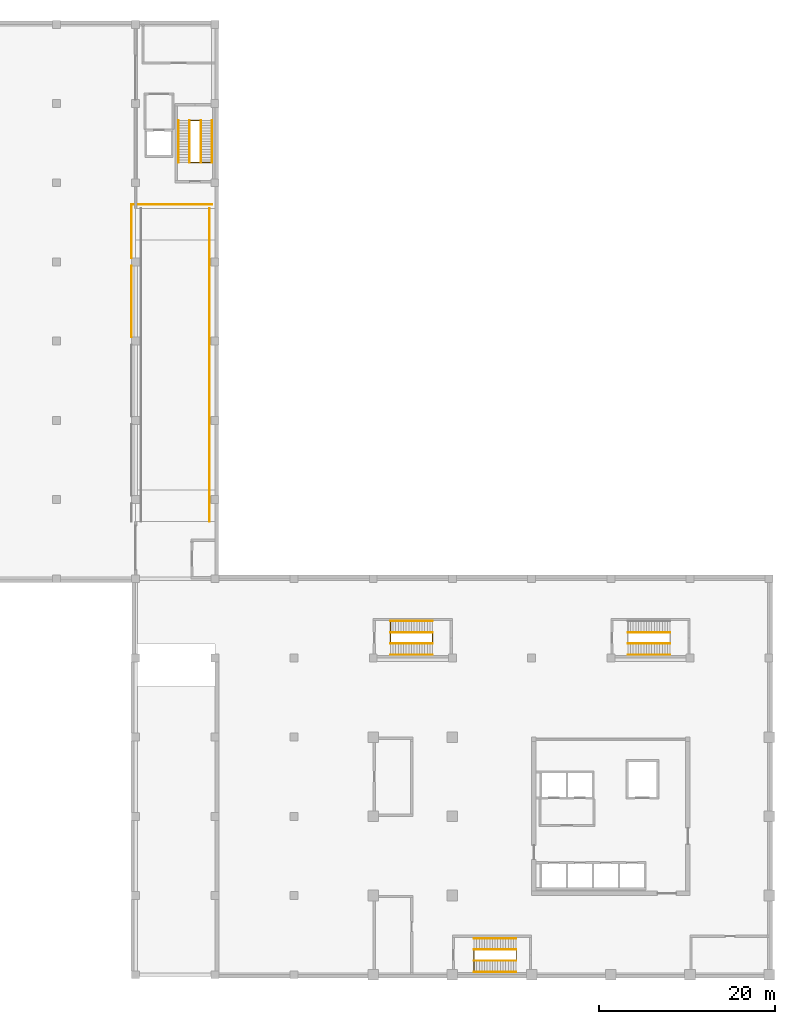
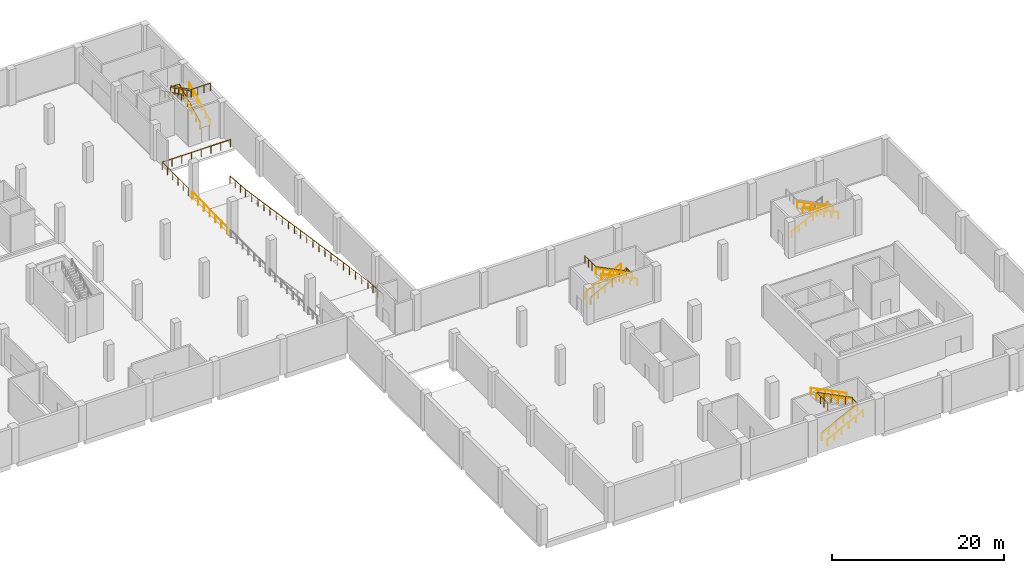
# One storey, part 15 of 16: 21 railings.
"""IFC4 building model written with IfcOpenShell, lengths in metres."""

from ifc_helpers import new_model, si_unit, direction, frame, origin, origin_2d, place, context, subcontext, project, spatial, circle, extrude, material, type_object, element, save


model = new_model("IFC4")

# Units and contexts
model_context = context("Model", 3, precision=1e-05, world=origin(), true_north=direction((0.0, 1.0)))
body_context = subcontext(model_context, "Body", "Model", "MODEL_VIEW")
ifc_project = project(units=[si_unit("LENGTHUNIT", "METRE"), si_unit("AREAUNIT", "SQUARE_METRE"), si_unit("VOLUMEUNIT", "CUBIC_METRE"), si_unit("PLANEANGLEUNIT", "RADIAN"), si_unit("MASSUNIT", "GRAM", prefix="KILO")], contexts=[model_context])

# Site, building, storey
site_placement = place(None, origin())
site = spatial("IfcSite", under=ifc_project, at=site_placement, CompositionType="ELEMENT")
building_placement = place(site_placement, origin())
building = spatial("IfcBuilding", under=site, at=building_placement, Name="Guidao Yard Department Store", CompositionType="ELEMENT")
storey_placement = place(building_placement, frame((0.0, 0.0, -5.10009765625)))
storey = spatial("IfcBuildingStorey", under=building, at=storey_placement, Name="B1", CompositionType="ELEMENT", Elevation=-5.10009765625)

# Railings
ifc_material_1 = material(Name="Steel Q235", Category="steel")
railing_type_1 = type_object("IfcRailingType", Name="Guard steel balustrade 1100", PredefinedType="GUARDRAIL", material=ifc_material_1)
railing_1_placement = place(storey_placement, frame((106.35009765625, 92.300048828125, 0.150146484375)))
element("IfcRailing", 1, at=railing_1_placement, inside=storey, type_object=railing_type_1, Name="Basement stair G2 guard B1 2", PredefinedType="GUARDRAIL", context=body_context, shape_type="SweptSolid", body=[
    extrude(circle(Radius=0.02392578125, at=origin_2d()), frame((0.0, 0.0, 1.076171875), z_axis=(0.0, 0.894436289399, 0.44719539824), x_axis=(-1.0, 0.0, 0.0)), (0.0, 0.0, 1.0), 5.366455078125),
    extrude(circle(Radius=0.02392578125, at=origin_2d()), frame((0.0, 4.800048828125, 3.47607421875), z_axis=(-1.0, 0.0, 0.0), x_axis=(0.0, -1.0, 0.0)), (0.0, 0.0, 1.0), 1.150146484375),
    extrude(circle(Radius=0.02392578125, at=origin_2d()), frame((-1.150146484375, 4.800048828125, 3.47607421875), z_axis=(0.0, 0.0, 1.0), x_axis=(1.0, 0.0, 0.0)), (0.0, 0.0, 1.0), 0.150146484375),
    extrude(circle(Radius=0.02392578125, at=origin_2d()), frame((-1.150146484375, 4.800048828125, 3.6259765625), z_axis=(0.0, -0.894436289399, 0.44719539824), x_axis=(1.0, 0.0, 0.0)), (0.0, 0.0, 1.0), 5.366455078125),
    extrude(circle(Radius=0.02392578125, at=origin_2d()), frame((-1.150146484375, 0.0, 6.02587890625), z_axis=(1.0, 0.0, 0.0), x_axis=(0.0, 1.0, 0.0)), (0.0, 0.0, 1.0), 2.550048828125),
    extrude(circle(Radius=0.02099609375, at=origin_2d()), origin(), (0.0, 0.0, 1.0), 1.052001953125),
    extrude(circle(Radius=0.02099609375, at=origin_2d()), frame((0.0, 0.9599609375, 0.47998046875)), (0.0, 0.0, 1.0), 1.052001953125),
    extrude(circle(Radius=0.02099609375, at=origin_2d()), frame((0.0, 1.919921875, 0.9599609375)), (0.0, 0.0, 1.0), 1.052001953125),
    extrude(circle(Radius=0.02099609375, at=origin_2d()), frame((0.0, 2.880126953125, 1.43994140625)), (0.0, 0.0, 1.0), 1.052001953125),
    extrude(circle(Radius=0.02099609375, at=origin_2d()), frame((0.0, 3.840087890625, 1.919921875)), (0.0, 0.0, 1.0), 1.052001953125),
    extrude(circle(Radius=0.02099609375, at=origin_2d()), frame((0.0, 4.800048828125, 2.39990234375)), (0.0, 0.0, 1.0), 1.052001953125),
    extrude(circle(Radius=0.02099609375, at=origin_2d()), frame((-1.150146484375, 4.800048828125, 2.39990234375)), (0.0, 0.0, 1.0), 1.052001953125),
    extrude(circle(Radius=0.02099609375, at=origin_2d()), frame((-1.150146484375, 4.800048828125, 2.550048828125)), (0.0, 0.0, 1.0), 1.052001953125),
    extrude(circle(Radius=0.02099609375, at=origin_2d()), frame((-1.150146484375, 3.840087890625, 3.030029296875)), (0.0, 0.0, 1.0), 1.052001953125),
    extrude(circle(Radius=0.02099609375, at=origin_2d()), frame((-1.150146484375, 2.880126953125, 3.510009765625)), (0.0, 0.0, 1.0), 1.052001953125),
    extrude(circle(Radius=0.02099609375, at=origin_2d()), frame((-1.150146484375, 1.919921875, 3.989990234375)), (0.0, 0.0, 1.0), 1.052001953125),
    extrude(circle(Radius=0.02099609375, at=origin_2d()), frame((-1.150146484375, 0.9599609375, 4.469970703125)), (0.0, 0.0, 1.0), 1.052001953125),
    extrude(circle(Radius=0.02099609375, at=origin_2d()), frame((-1.150146484375, 0.0, 4.949951171875)), (0.0, 0.0, 1.0), 1.052001953125),
    extrude(circle(Radius=0.02099609375, at=origin_2d()), frame((-0.300048828125, 0.0, 4.949951171875)), (0.0, 0.0, 1.0), 1.052001953125),
    extrude(circle(Radius=0.02099609375, at=origin_2d()), frame((0.5498046875, 0.0, 4.949951171875)), (0.0, 0.0, 1.0), 1.052001953125),
    extrude(circle(Radius=0.02099609375, at=origin_2d()), frame((1.39990234375, 0.0, 4.949951171875)), (0.0, 0.0, 1.0), 1.052001953125),
])
railing_2_placement = place(storey_placement, frame((137.449951171875, 1.64990234375, 0.150146484375)))
element("IfcRailing", 2, at=railing_2_placement, inside=storey, type_object=railing_type_1, Name="Basement stair O1 guard B1 6", PredefinedType="GUARDRAIL", context=body_context, shape_type="SweptSolid", body=[
    extrude(circle(Radius=0.02392578125, at=origin_2d()), frame((0.0, 0.0, 1.076171875), z_axis=(0.894436289399, 0.0, 0.44719539824), x_axis=(0.0, 1.0, 0.0)), (0.0, 0.0, 1.0), 5.366455078125),
    extrude(circle(Radius=0.02392578125, at=origin_2d()), frame((4.800048828125, 0.0, 3.47607421875), z_axis=(0.0, 1.0, 0.0), x_axis=(-1.0, 0.0, 0.0)), (0.0, 0.0, 1.0), 1.150146484375),
    extrude(circle(Radius=0.02392578125, at=origin_2d()), frame((4.800048828125, 1.150146484375, 3.47607421875), z_axis=(0.0, 0.0, 1.0), x_axis=(1.0, 0.0, 0.0)), (0.0, 0.0, 1.0), 0.150146484375),
    extrude(circle(Radius=0.02392578125, at=origin_2d()), frame((4.800048828125, 1.150146484375, 3.6259765625), z_axis=(-0.894436289399, 0.0, 0.44719539824), x_axis=(0.0, -1.0, 0.0)), (0.0, 0.0, 1.0), 5.366455078125),
    extrude(circle(Radius=0.02392578125, at=origin_2d()), frame((0.0, 1.150146484375, 6.02587890625), z_axis=(0.0, -1.0, 0.0), x_axis=(1.0, 0.0, 0.0)), (0.0, 0.0, 1.0), 2.550048828125),
    extrude(circle(Radius=0.02099609375, at=origin_2d()), origin(), (0.0, 0.0, 1.0), 1.052001953125),
    extrude(circle(Radius=0.02099609375, at=origin_2d()), frame((0.9599609375, 0.0, 0.47998046875)), (0.0, 0.0, 1.0), 1.052001953125),
    extrude(circle(Radius=0.02099609375, at=origin_2d()), frame((1.919921875, 0.0, 0.9599609375)), (0.0, 0.0, 1.0), 1.052001953125),
    extrude(circle(Radius=0.02099609375, at=origin_2d()), frame((2.880126953125, 0.0, 1.43994140625)), (0.0, 0.0, 1.0), 1.052001953125),
    extrude(circle(Radius=0.02099609375, at=origin_2d()), frame((3.840087890625, 0.0, 1.919921875)), (0.0, 0.0, 1.0), 1.052001953125),
    extrude(circle(Radius=0.02099609375, at=origin_2d()), frame((4.800048828125, 0.0, 2.39990234375)), (0.0, 0.0, 1.0), 1.052001953125),
    extrude(circle(Radius=0.02099609375, at=origin_2d()), frame((4.800048828125, 1.150146484375, 2.39990234375)), (0.0, 0.0, 1.0), 1.052001953125),
    extrude(circle(Radius=0.02099609375, at=origin_2d()), frame((4.800048828125, 1.150146484375, 2.550048828125)), (0.0, 0.0, 1.0), 1.052001953125),
    extrude(circle(Radius=0.02099609375, at=origin_2d()), frame((3.840087890625, 1.150146484375, 3.030029296875)), (0.0, 0.0, 1.0), 1.052001953125),
    extrude(circle(Radius=0.02099609375, at=origin_2d()), frame((2.880126953125, 1.150146484375, 3.510009765625)), (0.0, 0.0, 1.0), 1.052001953125),
    extrude(circle(Radius=0.02099609375, at=origin_2d()), frame((1.919921875, 1.150146484375, 3.989990234375)), (0.0, 0.0, 1.0), 1.052001953125),
    extrude(circle(Radius=0.02099609375, at=origin_2d()), frame((0.9599609375, 1.150146484375, 4.469970703125)), (0.0, 0.0, 1.0), 1.052001953125),
    extrude(circle(Radius=0.02099609375, at=origin_2d()), frame((0.0, 1.150146484375, 4.949951171875)), (0.0, 0.0, 1.0), 1.052001953125),
    extrude(circle(Radius=0.02099609375, at=origin_2d()), frame((0.0, 0.300048828125, 4.949951171875)), (0.0, 0.0, 1.0), 1.052001953125),
    extrude(circle(Radius=0.02099609375, at=origin_2d()), frame((0.0, -0.5498046875, 4.949951171875)), (0.0, 0.0, 1.0), 1.052001953125),
    extrude(circle(Radius=0.02099609375, at=origin_2d()), frame((0.0, -1.39990234375, 4.949951171875)), (0.0, 0.0, 1.0), 1.052001953125),
])
railing_3_placement = place(storey_placement, frame((127.949951171875, 38.85009765625, 0.150146484375)))
element("IfcRailing", 3, at=railing_3_placement, inside=storey, type_object=railing_type_1, Name="Basement stair Y1 guard B1 7", PredefinedType="GUARDRAIL", context=body_context, shape_type="SweptSolid", body=[
    extrude(circle(Radius=0.02392578125, at=origin_2d()), frame((0.0, 0.0, 1.076171875), z_axis=(0.894436289399, 0.0, 0.44719539824), x_axis=(0.0, 1.0, 0.0)), (0.0, 0.0, 1.0), 5.366455078125),
    extrude(circle(Radius=0.02392578125, at=origin_2d()), frame((4.800048828125, 0.0, 3.47607421875), z_axis=(0.0, -1.0, 0.0), x_axis=(1.0, 0.0, 0.0)), (0.0, 0.0, 1.0), 1.150146484375),
    extrude(circle(Radius=0.02392578125, at=origin_2d()), frame((4.800048828125, -1.150146484375, 3.47607421875), z_axis=(0.0, 0.0, 1.0), x_axis=(1.0, 0.0, 0.0)), (0.0, 0.0, 1.0), 0.150146484375),
    extrude(circle(Radius=0.02392578125, at=origin_2d()), frame((4.800048828125, -1.150146484375, 3.6259765625), z_axis=(-0.894436289399, 0.0, 0.44719539824), x_axis=(0.0, -1.0, 0.0)), (0.0, 0.0, 1.0), 5.366455078125),
    extrude(circle(Radius=0.02392578125, at=origin_2d()), frame((0.0, -1.150146484375, 6.02587890625), z_axis=(0.0, 1.0, 0.0), x_axis=(-1.0, 0.0, 0.0)), (0.0, 0.0, 1.0), 2.550048828125),
    extrude(circle(Radius=0.02099609375, at=origin_2d()), origin(), (0.0, 0.0, 1.0), 1.052001953125),
    extrude(circle(Radius=0.02099609375, at=origin_2d()), frame((0.9599609375, 0.0, 0.47998046875)), (0.0, 0.0, 1.0), 1.052001953125),
    extrude(circle(Radius=0.02099609375, at=origin_2d()), frame((1.919921875, 0.0, 0.9599609375)), (0.0, 0.0, 1.0), 1.052001953125),
    extrude(circle(Radius=0.02099609375, at=origin_2d()), frame((2.880126953125, 0.0, 1.43994140625)), (0.0, 0.0, 1.0), 1.052001953125),
    extrude(circle(Radius=0.02099609375, at=origin_2d()), frame((3.840087890625, 0.0, 1.919921875)), (0.0, 0.0, 1.0), 1.052001953125),
    extrude(circle(Radius=0.02099609375, at=origin_2d()), frame((4.800048828125, 0.0, 2.39990234375)), (0.0, 0.0, 1.0), 1.052001953125),
    extrude(circle(Radius=0.02099609375, at=origin_2d()), frame((4.800048828125, -1.150146484375, 2.39990234375)), (0.0, 0.0, 1.0), 1.052001953125),
    extrude(circle(Radius=0.02099609375, at=origin_2d()), frame((4.800048828125, -1.150146484375, 2.550048828125)), (0.0, 0.0, 1.0), 1.052001953125),
    extrude(circle(Radius=0.02099609375, at=origin_2d()), frame((3.840087890625, -1.150146484375, 3.030029296875)), (0.0, 0.0, 1.0), 1.052001953125),
    extrude(circle(Radius=0.02099609375, at=origin_2d()), frame((2.880126953125, -1.150146484375, 3.510009765625)), (0.0, 0.0, 1.0), 1.052001953125),
    extrude(circle(Radius=0.02099609375, at=origin_2d()), frame((1.919921875, -1.150146484375, 3.989990234375)), (0.0, 0.0, 1.0), 1.052001953125),
    extrude(circle(Radius=0.02099609375, at=origin_2d()), frame((0.9599609375, -1.150146484375, 4.469970703125)), (0.0, 0.0, 1.0), 1.052001953125),
    extrude(circle(Radius=0.02099609375, at=origin_2d()), frame((0.0, -1.150146484375, 4.949951171875)), (0.0, 0.0, 1.0), 1.052001953125),
    extrude(circle(Radius=0.02099609375, at=origin_2d()), frame((0.0, -0.300048828125, 4.949951171875)), (0.0, 0.0, 1.0), 1.052001953125),
    extrude(circle(Radius=0.02099609375, at=origin_2d()), frame((0.0, 0.5498046875, 4.949951171875)), (0.0, 0.0, 1.0), 1.052001953125),
    extrude(circle(Radius=0.02099609375, at=origin_2d()), frame((0.0, 1.39990234375, 4.949951171875)), (0.0, 0.0, 1.0), 1.052001953125),
])
railing_4_placement = place(storey_placement, frame((107.39990234375, 51.5, 0.0)))
element("IfcRailing", 4, at=railing_4_placement, inside=storey, type_object=railing_type_1, Name="Car ramp B guard E", PredefinedType="GUARDRAIL", context=body_context, shape_type="SweptSolid", body=[
    extrude(circle(Radius=0.02392578125, at=origin_2d()), frame((0.0, 0.0, 1.076171875), z_axis=(0.0, 0.997199057707, -0.074793310581), x_axis=(-1.0, 0.0, 0.0)), (0.0, 0.0, 1.0), 3.610107421875),
    extrude(circle(Radius=0.02392578125, at=origin_2d()), frame((0.0, 3.60009765625, 0.80615234375), z_axis=(0.0, 0.988937475278, -0.148332970004), x_axis=(-1.0, 0.0, 0.0)), (0.0, 0.0, 1.0), 28.717529296875),
    extrude(circle(Radius=0.02392578125, at=origin_2d()), frame((0.0, 32.0, -3.45361328125), z_axis=(0.0, 0.997199057707, -0.074793310581), x_axis=(-1.0, 0.0, 0.0)), (0.0, 0.0, 1.0), 3.610107421875),
    extrude(circle(Radius=0.02099609375, at=origin_2d()), origin(), (0.0, 0.0, 1.0), 1.052001953125),
    extrude(circle(Radius=0.02099609375, at=origin_2d()), frame((0.0, 1.199951171875, -0.090087890625)), (0.0, 0.0, 1.0), 1.052001953125),
    extrude(circle(Radius=0.02099609375, at=origin_2d()), frame((0.0, 2.400146484375, -0.179931640625)), (0.0, 0.0, 1.0), 1.052001953125),
    extrude(circle(Radius=0.02099609375, at=origin_2d()), frame((0.0, 3.60009765625, -0.27001953125)), (0.0, 0.0, 1.0), 1.052001953125),
    extrude(circle(Radius=0.02099609375, at=origin_2d()), frame((0.0, 5.02001953125, -0.48291015625)), (0.0, 0.0, 1.0), 1.052001953125),
    extrude(circle(Radius=0.02099609375, at=origin_2d()), frame((0.0, 6.440185546875, -0.696044921875)), (0.0, 0.0, 1.0), 1.052001953125),
    extrude(circle(Radius=0.02099609375, at=origin_2d()), frame((0.0, 7.860107421875, -0.908935546875)), (0.0, 0.0, 1.0), 1.052001953125),
    extrude(circle(Radius=0.02099609375, at=origin_2d()), frame((0.0, 9.280029296875, -1.1220703125)), (0.0, 0.0, 1.0), 1.052001953125),
    extrude(circle(Radius=0.02099609375, at=origin_2d()), frame((0.0, 10.7001953125, -1.3349609375)), (0.0, 0.0, 1.0), 1.052001953125),
    extrude(circle(Radius=0.02099609375, at=origin_2d()), frame((0.0, 12.1201171875, -1.5478515625)), (0.0, 0.0, 1.0), 1.052001953125),
    extrude(circle(Radius=0.02099609375, at=origin_2d()), frame((0.0, 13.5400390625, -1.760986328125)), (0.0, 0.0, 1.0), 1.052001953125),
    extrude(circle(Radius=0.02099609375, at=origin_2d()), frame((0.0, 14.9599609375, -1.973876953125)), (0.0, 0.0, 1.0), 1.052001953125),
    extrude(circle(Radius=0.02099609375, at=origin_2d()), frame((0.0, 16.380126953125, -2.18701171875)), (0.0, 0.0, 1.0), 1.052001953125),
    extrude(circle(Radius=0.02099609375, at=origin_2d()), frame((0.0, 17.800048828125, -2.39990234375)), (0.0, 0.0, 1.0), 1.052001953125),
    extrude(circle(Radius=0.02099609375, at=origin_2d()), frame((0.0, 19.219970703125, -2.61279296875)), (0.0, 0.0, 1.0), 1.052001953125),
    extrude(circle(Radius=0.02099609375, at=origin_2d()), frame((0.0, 20.64013671875, -2.825927734375)), (0.0, 0.0, 1.0), 1.052001953125),
    extrude(circle(Radius=0.02099609375, at=origin_2d()), frame((0.0, 22.06005859375, -3.038818359375)), (0.0, 0.0, 1.0), 1.052001953125),
    extrude(circle(Radius=0.02099609375, at=origin_2d()), frame((0.0, 23.47998046875, -3.251953125)), (0.0, 0.0, 1.0), 1.052001953125),
    extrude(circle(Radius=0.02099609375, at=origin_2d()), frame((0.0, 24.89990234375, -3.46484375)), (0.0, 0.0, 1.0), 1.052001953125),
    extrude(circle(Radius=0.02099609375, at=origin_2d()), frame((0.0, 26.320068359375, -3.677734375)), (0.0, 0.0, 1.0), 1.052001953125),
    extrude(circle(Radius=0.02099609375, at=origin_2d()), frame((0.0, 27.739990234375, -3.890869140625)), (0.0, 0.0, 1.0), 1.052001953125),
    extrude(circle(Radius=0.02099609375, at=origin_2d()), frame((0.0, 29.159912109375, -4.103759765625)), (0.0, 0.0, 1.0), 1.052001953125),
    extrude(circle(Radius=0.02099609375, at=origin_2d()), frame((0.0, 30.580078125, -4.31689453125)), (0.0, 0.0, 1.0), 1.052001953125),
    extrude(circle(Radius=0.02099609375, at=origin_2d()), frame((0.0, 32.0, -4.52978515625)), (0.0, 0.0, 1.0), 1.052001953125),
    extrude(circle(Radius=0.02099609375, at=origin_2d()), frame((0.0, 33.199951171875, -4.619873046875)), (0.0, 0.0, 1.0), 1.052001953125),
    extrude(circle(Radius=0.02099609375, at=origin_2d()), frame((0.0, 34.400146484375, -4.709716796875)), (0.0, 0.0, 1.0), 1.052001953125),
    extrude(circle(Radius=0.02099609375, at=origin_2d()), frame((0.0, 35.60009765625, -4.7998046875)), (0.0, 0.0, 1.0), 1.052001953125),
])
railing_5_placement = place(storey_placement, frame((98.550048828125, 72.449951171875, 0.0)))
element("IfcRailing", 5, at=railing_5_placement, inside=storey, type_object=railing_type_1, Name="Guard ramp B W B1", PredefinedType="GUARDRAIL", context=body_context, shape_type="SweptSolid", body=[
    extrude(circle(Radius=0.02392578125, at=origin_2d()), frame((0.0, 0.0, 1.076171875), z_axis=(0.0, 1.0, 0.0), x_axis=(-1.0, 0.0, 0.0)), (0.0, 0.0, 1.0), 8.10009765625),
    extrude(circle(Radius=0.02099609375, at=origin_2d()), origin(), (0.0, 0.0, 1.0), 1.052001953125),
    extrude(circle(Radius=0.02099609375, at=origin_2d()), frame((0.0, 1.35009765625, 0.0)), (0.0, 0.0, 1.0), 1.052001953125),
    extrude(circle(Radius=0.02099609375, at=origin_2d()), frame((0.0, 2.699951171875, 0.0)), (0.0, 0.0, 1.0), 1.052001953125),
    extrude(circle(Radius=0.02099609375, at=origin_2d()), frame((0.0, 4.050048828125, 0.0)), (0.0, 0.0, 1.0), 1.052001953125),
    extrude(circle(Radius=0.02099609375, at=origin_2d()), frame((0.0, 5.400146484375, 0.0)), (0.0, 0.0, 1.0), 1.052001953125),
    extrude(circle(Radius=0.02099609375, at=origin_2d()), frame((0.0, 6.75, 0.0)), (0.0, 0.0, 1.0), 1.052001953125),
    extrude(circle(Radius=0.02099609375, at=origin_2d()), frame((0.0, 8.10009765625, 0.0)), (0.0, 0.0, 1.0), 1.052001953125),
])
railing_6_placement = place(storey_placement, frame((98.550048828125, 81.449951171875, 0.0)))
element("IfcRailing", 6, at=railing_6_placement, inside=storey, type_object=railing_type_1, Name="Guard ramp B W B1", PredefinedType="GUARDRAIL", context=body_context, shape_type="SweptSolid", body=[
    extrude(circle(Radius=0.02392578125, at=origin_2d()), frame((0.0, 0.0, 1.076171875), z_axis=(0.0, 1.0, 0.0), x_axis=(-1.0, 0.0, 0.0)), (0.0, 0.0, 1.0), 6.10009765625),
    extrude(circle(Radius=0.02392578125, at=origin_2d()), frame((0.0, 6.10009765625, 1.076171875), z_axis=(1.0, 0.0, 0.0), x_axis=(0.0, 1.0, 0.0)), (0.0, 0.0, 1.0), 9.14990234375),
    extrude(circle(Radius=0.02099609375, at=origin_2d()), origin(), (0.0, 0.0, 1.0), 1.052001953125),
    extrude(circle(Radius=0.02099609375, at=origin_2d()), frame((0.0, 1.219970703125, 0.0)), (0.0, 0.0, 1.0), 1.052001953125),
    extrude(circle(Radius=0.02099609375, at=origin_2d()), frame((0.0, 2.43994140625, 0.0)), (0.0, 0.0, 1.0), 1.052001953125),
    extrude(circle(Radius=0.02099609375, at=origin_2d()), frame((0.0, 3.66015625, 0.0)), (0.0, 0.0, 1.0), 1.052001953125),
    extrude(circle(Radius=0.02099609375, at=origin_2d()), frame((0.0, 4.880126953125, 0.0)), (0.0, 0.0, 1.0), 1.052001953125),
    extrude(circle(Radius=0.02099609375, at=origin_2d()), frame((0.0, 6.10009765625, 0.0)), (0.0, 0.0, 1.0), 1.052001953125),
    extrude(circle(Radius=0.02099609375, at=origin_2d()), frame((1.30712890625, 6.10009765625, 0.0)), (0.0, 0.0, 1.0), 1.052001953125),
    extrude(circle(Radius=0.02099609375, at=origin_2d()), frame((2.6142578125, 6.10009765625, 0.0)), (0.0, 0.0, 1.0), 1.052001953125),
    extrude(circle(Radius=0.02099609375, at=origin_2d()), frame((3.92138671875, 6.10009765625, 0.0)), (0.0, 0.0, 1.0), 1.052001953125),
    extrude(circle(Radius=0.02099609375, at=origin_2d()), frame((5.228515625, 6.10009765625, 0.0)), (0.0, 0.0, 1.0), 1.052001953125),
    extrude(circle(Radius=0.02099609375, at=origin_2d()), frame((6.53564453125, 6.10009765625, 0.0)), (0.0, 0.0, 1.0), 1.052001953125),
    extrude(circle(Radius=0.02099609375, at=origin_2d()), frame((7.8427734375, 6.10009765625, 0.0)), (0.0, 0.0, 1.0), 1.052001953125),
    extrude(circle(Radius=0.02099609375, at=origin_2d()), frame((9.14990234375, 6.10009765625, 0.0)), (0.0, 0.0, 1.0), 1.052001953125),
])
ifc_material_2 = material(Name="Steel Q235", Category="steel")
railing_type_2 = type_object("IfcRailingType", Name="Handrail steel tube 48", PredefinedType="HANDRAIL", material=ifc_material_2)
for number, where, name in (
    (7, (107.68994140625, 92.300048828125, 0.150146484375), "Basement stair G2 hand rail B1 5"),
    (8, (106.409912109375, 92.300048828125, 0.150146484375), "Basement stair G2 hand rail B1 6"),
):
    element("IfcRailing", number, at=place(storey_placement, frame(where)), inside=storey, type_object=railing_type_2, Name=name, PredefinedType="HANDRAIL", context=body_context, shape_type="SweptSolid", body=[
        extrude(circle(Radius=0.02392578125, at=origin_2d()), frame((0.0, 0.0, 0.8759765625), z_axis=(0.0, 0.894436289399, 0.44719539824), x_axis=(-1.0, 0.0, 0.0)), (0.0, 0.0, 1.0), 5.366455078125),
        extrude(circle(Radius=0.02099609375, at=origin_2d()), origin(), (0.0, 0.0, 1.0), 0.851806640625),
        extrude(circle(Radius=0.02099609375, at=origin_2d()), frame((0.0, 0.9599609375, 0.47998046875)), (0.0, 0.0, 1.0), 0.851806640625),
        extrude(circle(Radius=0.02099609375, at=origin_2d()), frame((0.0, 1.919921875, 0.9599609375)), (0.0, 0.0, 1.0), 0.851806640625),
        extrude(circle(Radius=0.02099609375, at=origin_2d()), frame((0.0, 2.880126953125, 1.43994140625)), (0.0, 0.0, 1.0), 0.851806640625),
        extrude(circle(Radius=0.02099609375, at=origin_2d()), frame((0.0, 3.840087890625, 1.919921875)), (0.0, 0.0, 1.0), 0.851806640625),
        extrude(circle(Radius=0.02099609375, at=origin_2d()), frame((0.0, 4.800048828125, 2.39990234375)), (0.0, 0.0, 1.0), 0.851806640625),
    ])
for number, where, name in (
    (9, (105.139892578125, 97.10009765625, 2.7001953125), "Basement stair G2 hand rail B1 7"),
    (10, (103.860107421875, 97.10009765625, 2.7001953125), "Basement stair G2 hand rail B1 8"),
):
    element("IfcRailing", number, at=place(storey_placement, frame(where)), inside=storey, type_object=railing_type_2, Name=name, PredefinedType="HANDRAIL", context=body_context, shape_type="SweptSolid", body=[
        extrude(circle(Radius=0.02392578125, at=origin_2d()), frame((0.0, 0.0, 0.8759765625), z_axis=(0.0, -0.894436289399, 0.44719539824), x_axis=(1.0, 0.0, 0.0)), (0.0, 0.0, 1.0), 5.366455078125),
        extrude(circle(Radius=0.02099609375, at=origin_2d()), origin(), (0.0, 0.0, 1.0), 0.851806640625),
        extrude(circle(Radius=0.02099609375, at=origin_2d()), frame((0.0, -0.9599609375, 0.47998046875)), (0.0, 0.0, 1.0), 0.851806640625),
        extrude(circle(Radius=0.02099609375, at=origin_2d()), frame((0.0, -1.919921875, 0.9599609375)), (0.0, 0.0, 1.0), 0.851806640625),
        extrude(circle(Radius=0.02099609375, at=origin_2d()), frame((0.0, -2.880126953125, 1.43994140625)), (0.0, 0.0, 1.0), 0.851806640625),
        extrude(circle(Radius=0.02099609375, at=origin_2d()), frame((0.0, -3.840087890625, 1.919921875)), (0.0, 0.0, 1.0), 0.851806640625),
        extrude(circle(Radius=0.02099609375, at=origin_2d()), frame((0.0, -4.800048828125, 2.39990234375)), (0.0, 0.0, 1.0), 0.851806640625),
    ])
for number, where, name in (
    (11, (137.449951171875, 0.31005859375, 0.150146484375), "Basement stair O1 hand rail B1 21"),
    (12, (137.449951171875, 1.590087890625, 0.150146484375), "Basement stair O1 hand rail B1 22"),
):
    element("IfcRailing", number, at=place(storey_placement, frame(where)), inside=storey, type_object=railing_type_2, Name=name, PredefinedType="HANDRAIL", context=body_context, shape_type="SweptSolid", body=[
        extrude(circle(Radius=0.02392578125, at=origin_2d()), frame((0.0, 0.0, 0.8759765625), z_axis=(0.894436289399, 0.0, 0.44719539824), x_axis=(0.0, 1.0, 0.0)), (0.0, 0.0, 1.0), 5.366455078125),
        extrude(circle(Radius=0.02099609375, at=origin_2d()), origin(), (0.0, 0.0, 1.0), 0.851806640625),
        extrude(circle(Radius=0.02099609375, at=origin_2d()), frame((0.9599609375, 0.0, 0.47998046875)), (0.0, 0.0, 1.0), 0.851806640625),
        extrude(circle(Radius=0.02099609375, at=origin_2d()), frame((1.919921875, 0.0, 0.9599609375)), (0.0, 0.0, 1.0), 0.851806640625),
        extrude(circle(Radius=0.02099609375, at=origin_2d()), frame((2.880126953125, 0.0, 1.43994140625)), (0.0, 0.0, 1.0), 0.851806640625),
        extrude(circle(Radius=0.02099609375, at=origin_2d()), frame((3.840087890625, 0.0, 1.919921875)), (0.0, 0.0, 1.0), 0.851806640625),
        extrude(circle(Radius=0.02099609375, at=origin_2d()), frame((4.800048828125, 0.0, 2.39990234375)), (0.0, 0.0, 1.0), 0.851806640625),
    ])
for number, where, name in (
    (13, (142.25, 2.860107421875, 2.7001953125), "Basement stair O1 hand rail B1 23"),
    (14, (142.25, 4.139892578125, 2.7001953125), "Basement stair O1 hand rail B1 24"),
):
    element("IfcRailing", number, at=place(storey_placement, frame(where)), inside=storey, type_object=railing_type_2, Name=name, PredefinedType="HANDRAIL", context=body_context, shape_type="SweptSolid", body=[
        extrude(circle(Radius=0.02392578125, at=origin_2d()), frame((0.0, 0.0, 0.8759765625), z_axis=(-0.894436289399, 0.0, 0.44719539824), x_axis=(0.0, -1.0, 0.0)), (0.0, 0.0, 1.0), 5.366455078125),
        extrude(circle(Radius=0.02099609375, at=origin_2d()), origin(), (0.0, 0.0, 1.0), 0.851806640625),
        extrude(circle(Radius=0.02099609375, at=origin_2d()), frame((-0.9599609375, 0.0, 0.47998046875)), (0.0, 0.0, 1.0), 0.851806640625),
        extrude(circle(Radius=0.02099609375, at=origin_2d()), frame((-1.919921875, 0.0, 0.9599609375)), (0.0, 0.0, 1.0), 0.851806640625),
        extrude(circle(Radius=0.02099609375, at=origin_2d()), frame((-2.880126953125, 0.0, 1.43994140625)), (0.0, 0.0, 1.0), 0.851806640625),
        extrude(circle(Radius=0.02099609375, at=origin_2d()), frame((-3.840087890625, 0.0, 1.919921875)), (0.0, 0.0, 1.0), 0.851806640625),
        extrude(circle(Radius=0.02099609375, at=origin_2d()), frame((-4.800048828125, 0.0, 2.39990234375)), (0.0, 0.0, 1.0), 0.851806640625),
    ])
for number, where, name in (
    (15, (127.949951171875, 40.18994140625, 0.150146484375), "Basement stair Y1 hand rail B1 25"),
    (16, (127.949951171875, 38.909912109375, 0.150146484375), "Basement stair Y1 hand rail B1 26"),
):
    element("IfcRailing", number, at=place(storey_placement, frame(where)), inside=storey, type_object=railing_type_2, Name=name, PredefinedType="HANDRAIL", context=body_context, shape_type="SweptSolid", body=[
        extrude(circle(Radius=0.02392578125, at=origin_2d()), frame((0.0, 0.0, 0.8759765625), z_axis=(0.894436289399, 0.0, 0.44719539824), x_axis=(0.0, 1.0, 0.0)), (0.0, 0.0, 1.0), 5.366455078125),
        extrude(circle(Radius=0.02099609375, at=origin_2d()), origin(), (0.0, 0.0, 1.0), 0.851806640625),
        extrude(circle(Radius=0.02099609375, at=origin_2d()), frame((0.9599609375, 0.0, 0.47998046875)), (0.0, 0.0, 1.0), 0.851806640625),
        extrude(circle(Radius=0.02099609375, at=origin_2d()), frame((1.919921875, 0.0, 0.9599609375)), (0.0, 0.0, 1.0), 0.851806640625),
        extrude(circle(Radius=0.02099609375, at=origin_2d()), frame((2.880126953125, 0.0, 1.43994140625)), (0.0, 0.0, 1.0), 0.851806640625),
        extrude(circle(Radius=0.02099609375, at=origin_2d()), frame((3.840087890625, 0.0, 1.919921875)), (0.0, 0.0, 1.0), 0.851806640625),
        extrude(circle(Radius=0.02099609375, at=origin_2d()), frame((4.800048828125, 0.0, 2.39990234375)), (0.0, 0.0, 1.0), 0.851806640625),
    ])
for number, where, name in (
    (17, (132.75, 37.639892578125, 2.7001953125), "Basement stair Y1 hand rail B1 27"),
    (18, (132.75, 36.360107421875, 2.7001953125), "Basement stair Y1 hand rail B1 28"),
):
    element("IfcRailing", number, at=place(storey_placement, frame(where)), inside=storey, type_object=railing_type_2, Name=name, PredefinedType="HANDRAIL", context=body_context, shape_type="SweptSolid", body=[
        extrude(circle(Radius=0.02392578125, at=origin_2d()), frame((0.0, 0.0, 0.8759765625), z_axis=(-0.894436289399, 0.0, 0.44719539824), x_axis=(0.0, -1.0, 0.0)), (0.0, 0.0, 1.0), 5.366455078125),
        extrude(circle(Radius=0.02099609375, at=origin_2d()), origin(), (0.0, 0.0, 1.0), 0.851806640625),
        extrude(circle(Radius=0.02099609375, at=origin_2d()), frame((-0.9599609375, 0.0, 0.47998046875)), (0.0, 0.0, 1.0), 0.851806640625),
        extrude(circle(Radius=0.02099609375, at=origin_2d()), frame((-1.919921875, 0.0, 0.9599609375)), (0.0, 0.0, 1.0), 0.851806640625),
        extrude(circle(Radius=0.02099609375, at=origin_2d()), frame((-2.880126953125, 0.0, 1.43994140625)), (0.0, 0.0, 1.0), 0.851806640625),
        extrude(circle(Radius=0.02099609375, at=origin_2d()), frame((-3.840087890625, 0.0, 1.919921875)), (0.0, 0.0, 1.0), 0.851806640625),
        extrude(circle(Radius=0.02099609375, at=origin_2d()), frame((-4.800048828125, 0.0, 2.39990234375)), (0.0, 0.0, 1.0), 0.851806640625),
    ])
railing_7_placement = place(storey_placement, frame((154.949951171875, 38.909912109375, 0.150146484375)))
element("IfcRailing", 19, at=railing_7_placement, inside=storey, type_object=railing_type_2, Name="Basement stair Y2 hand rail B1 30", PredefinedType="HANDRAIL", context=body_context, shape_type="SweptSolid", body=[
    extrude(circle(Radius=0.02392578125, at=origin_2d()), frame((0.0, 0.0, 0.8759765625), z_axis=(0.894436289399, 0.0, 0.44719539824), x_axis=(0.0, 1.0, 0.0)), (0.0, 0.0, 1.0), 5.366455078125),
    extrude(circle(Radius=0.02099609375, at=origin_2d()), origin(), (0.0, 0.0, 1.0), 0.851806640625),
    extrude(circle(Radius=0.02099609375, at=origin_2d()), frame((0.9599609375, 0.0, 0.47998046875)), (0.0, 0.0, 1.0), 0.851806640625),
    extrude(circle(Radius=0.02099609375, at=origin_2d()), frame((1.919921875, 0.0, 0.9599609375)), (0.0, 0.0, 1.0), 0.851806640625),
    extrude(circle(Radius=0.02099609375, at=origin_2d()), frame((2.880126953125, 0.0, 1.43994140625)), (0.0, 0.0, 1.0), 0.851806640625),
    extrude(circle(Radius=0.02099609375, at=origin_2d()), frame((3.840087890625, 0.0, 1.919921875)), (0.0, 0.0, 1.0), 0.851806640625),
    extrude(circle(Radius=0.02099609375, at=origin_2d()), frame((4.800048828125, 0.0, 2.39990234375)), (0.0, 0.0, 1.0), 0.851806640625),
])
for number, where, name in (
    (20, (159.75, 37.639892578125, 2.7001953125), "Basement stair Y2 hand rail B1 31"),
    (21, (159.75, 36.360107421875, 2.7001953125), "Basement stair Y2 hand rail B1 32"),
):
    element("IfcRailing", number, at=place(storey_placement, frame(where)), inside=storey, type_object=railing_type_2, Name=name, PredefinedType="HANDRAIL", context=body_context, shape_type="SweptSolid", body=[
        extrude(circle(Radius=0.02392578125, at=origin_2d()), frame((0.0, 0.0, 0.8759765625), z_axis=(-0.894436289399, 0.0, 0.44719539824), x_axis=(0.0, -1.0, 0.0)), (0.0, 0.0, 1.0), 5.366455078125),
        extrude(circle(Radius=0.02099609375, at=origin_2d()), origin(), (0.0, 0.0, 1.0), 0.851806640625),
        extrude(circle(Radius=0.02099609375, at=origin_2d()), frame((-0.9599609375, 0.0, 0.47998046875)), (0.0, 0.0, 1.0), 0.851806640625),
        extrude(circle(Radius=0.02099609375, at=origin_2d()), frame((-1.919921875, 0.0, 0.9599609375)), (0.0, 0.0, 1.0), 0.851806640625),
        extrude(circle(Radius=0.02099609375, at=origin_2d()), frame((-2.880126953125, 0.0, 1.43994140625)), (0.0, 0.0, 1.0), 0.851806640625),
        extrude(circle(Radius=0.02099609375, at=origin_2d()), frame((-3.840087890625, 0.0, 1.919921875)), (0.0, 0.0, 1.0), 0.851806640625),
        extrude(circle(Radius=0.02099609375, at=origin_2d()), frame((-4.800048828125, 0.0, 2.39990234375)), (0.0, 0.0, 1.0), 0.851806640625),
    ])

save(model, "model.ifc")
